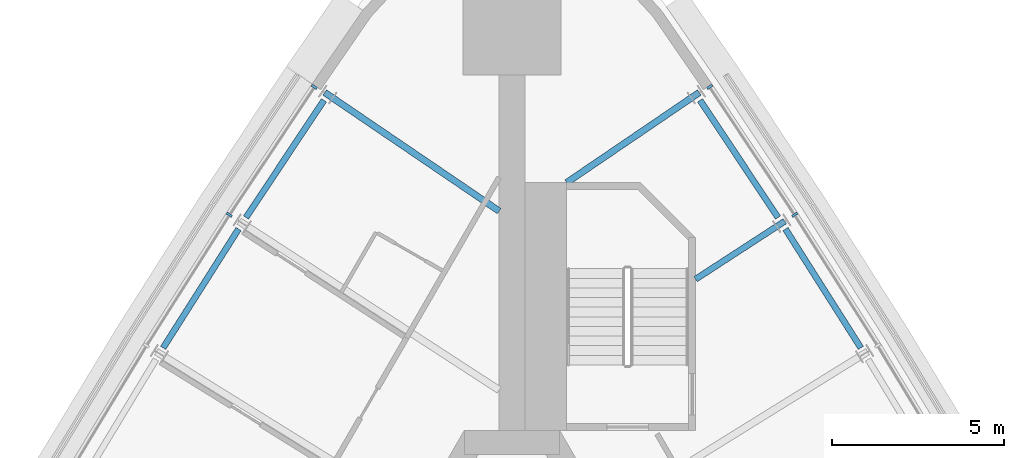
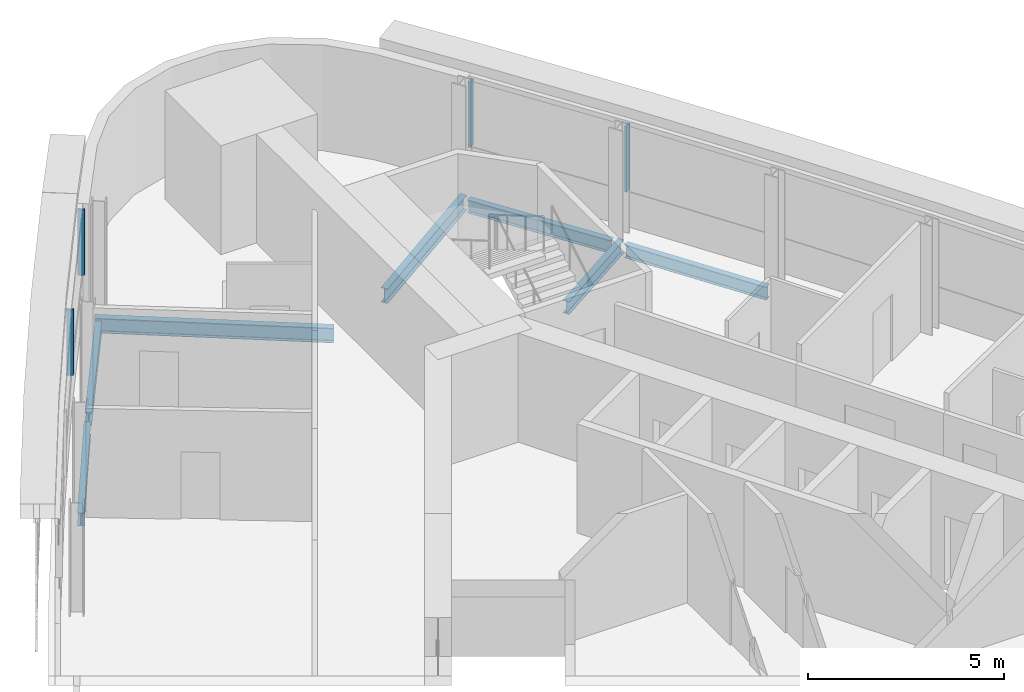
# One storey, part 6 of 12: 7 beams, 4 members, 2 elements without a shape of their own.
"""IFC4 building model written with IfcOpenShell, lengths in metres."""

from ifc_helpers import new_model, si_unit, direction, frame, origin, origin_2d, place, context, subcontext, project, spatial, rectangle, i_section, extrude, material, material_profile, profile_set, type_object, element, aggregate, save


model = new_model("IFC4")

# Units and contexts
model_context = context("Model", 3, precision=1e-05, world=origin(), true_north=direction((0.0, 1.0)))
body_context = subcontext(model_context, "Body", "Model", "MODEL_VIEW")
ifc_project = project(units=[si_unit("LENGTHUNIT", "METRE"), si_unit("AREAUNIT", "SQUARE_METRE"), si_unit("VOLUMEUNIT", "CUBIC_METRE"), si_unit("PLANEANGLEUNIT", "RADIAN"), si_unit("MASSUNIT", "GRAM", prefix="KILO")], contexts=[model_context])

# Site, building, storey
site_placement = place(None, origin())
site = spatial("IfcSite", under=ifc_project, at=site_placement, CompositionType="ELEMENT")
building_placement = place(site_placement, origin())
building = spatial("IfcBuilding", under=site, at=building_placement, Name="Noor Cloister Tower", CompositionType="ELEMENT")
storey_placement = place(building_placement, frame((0.0, 0.0, 158.10009765625)))
storey = spatial("IfcBuildingStorey", under=building, at=storey_placement, Name="L40", CompositionType="ELEMENT", Elevation=158.10009765625)

# Curtain wall, members
ifc_material_1 = material(Name="Aluminium 6063-T6 anodised", Category="aluminium")
curtain_wall_type = type_object("IfcCurtainWallType", Name="Ribbon curtain wall, upper tower CW5", PredefinedType="NOTDEFINED", material=ifc_material_1)
curtain_wall_1_placement = place(storey_placement, origin())
curtain_wall_1 = element("IfcCurtainWall", 1, at=curtain_wall_1_placement, inside=storey, type_object=curtain_wall_type, Name="CW5 L40 NW run 1", PredefinedType="NOTDEFINED")
ifc_material_2 = material(Name="Aluminium 6063-T6 anodised", Category="aluminium")
ifc_material_profile_1 = material_profile(ifc_material_2, rectangle(XDim=0.179931640625, YDim=0.070068359375, at=origin_2d()), Name="180 x 70 mullion")
ifc_profile_set_1 = profile_set([ifc_material_profile_1], Name="Aluminium 6063-T6 anodised")
member_type = type_object("IfcMemberType", Name="Mullion CW5 70 x 180", PredefinedType="MULLION", material=ifc_profile_set_1)
member_1_placement = place(storey_placement, frame((-5.74560546875, 21.43994140625, 1.099853515625), z_axis=(0.0, 0.0, 1.0), x_axis=(0.832917232409, -0.553397582174, 0.0)))
member_1 = element("IfcMember", 2, at=member_1_placement, type_object=member_type, Name="CW5 mullion 1", PredefinedType="MULLION", context=body_context, shape_type="SweptSolid", body=[
    extrude(rectangle(XDim=0.179931640625, YDim=0.070068359375, at=origin_2d()), origin(), (0.0, 0.0, 1.0), 2.050048828125),
])
member_2_placement = place(storey_placement, frame((-8.216064453125, 17.721923828125, 1.099853515625), z_axis=(0.0, 0.0, 1.0), x_axis=(0.838667278943, -0.544644099602, 0.0)))
member_2 = element("IfcMember", 3, at=member_2_placement, type_object=member_type, Name="CW5 mullion 2", PredefinedType="MULLION", context=body_context, shape_type="SweptSolid", body=[
    extrude(rectangle(XDim=0.179931640625, YDim=0.070068359375, at=origin_2d()), origin(), (0.0, 0.0, 1.0), 2.050048828125),
])
aggregate(curtain_wall_1, [member_1, member_2])

curtain_wall_2_placement = place(storey_placement, origin())
curtain_wall_2 = element("IfcCurtainWall", 4, at=curtain_wall_2_placement, inside=storey, type_object=curtain_wall_type, Name="CW5 L40 NE run 3", PredefinedType="NOTDEFINED")
member_3_placement = place(storey_placement, frame((8.216064453125, 17.721923828125, 1.099853515625), z_axis=(0.0, 0.0, 1.0), x_axis=(-0.838667278943, -0.544644099602, 0.0)))
member_3 = element("IfcMember", 5, at=member_3_placement, type_object=member_type, Name="CW5 mullion 7", PredefinedType="MULLION", context=body_context, shape_type="SweptSolid", body=[
    extrude(rectangle(XDim=0.179931640625, YDim=0.070068359375, at=origin_2d()), origin(), (0.0, 0.0, 1.0), 2.050048828125),
])
member_4_placement = place(storey_placement, frame((5.74560546875, 21.43994140625, 1.099853515625), z_axis=(0.0, 0.0, 1.0), x_axis=(-0.832917232409, -0.553397582174, 0.0)))
member_4 = element("IfcMember", 6, at=member_4_placement, type_object=member_type, Name="CW5 mullion 8", PredefinedType="MULLION", context=body_context, shape_type="SweptSolid", body=[
    extrude(rectangle(XDim=0.179931640625, YDim=0.070068359375, at=origin_2d()), origin(), (0.0, 0.0, 1.0), 2.050048828125),
])
aggregate(curtain_wall_2, [member_3, member_4])

# Beams
ifc_material_3 = material(Name="Steel ASTM A992 Gr 50", Category="steel")
ifc_material_profile_2 = material_profile(ifc_material_3, i_section(OverallWidth=0.177978515625, OverallDepth=0.406005859375, WebThickness=0.0078125, FlangeThickness=0.0126953125, FilletRadius=0.01025390625, at=origin_2d()), Name="W410x60")
ifc_profile_set_2 = profile_set([ifc_material_profile_2], Name="Steel ASTM A992 Gr 50")
beam_type_1 = type_object("IfcBeamType", Name="Radial beam W410x60", PredefinedType="BEAM", material=ifc_profile_set_2)
beam_1_placement = place(storey_placement, frame((7.92822265625, 17.53515625, -0.403076171875), z_axis=(-0.838636629365, -0.544691292281, 0.0), x_axis=(0.544691292281, -0.838636629365, 0.0)))
element("IfcBeam", 7, at=beam_1_placement, inside=storey, type_object=beam_type_1, Name="Radial beam NE 07 L40", PredefinedType="BEAM", context=body_context, shape_type="SweptSolid", body=[
    extrude(i_section(OverallWidth=0.177978515625, OverallDepth=0.406005859375, WebThickness=0.0078125, FlangeThickness=0.0126953125, FilletRadius=0.01025390625, at=origin_2d()), origin(), (0.0, 0.0, 1.0), 3.09130859375),
])
ifc_material_4 = material(Name="Steel ASTM A992 Gr 50", Category="steel")
ifc_material_profile_3 = material_profile(ifc_material_4, i_section(OverallWidth=0.19091796875, OverallDepth=0.45703125, WebThickness=0.009033203125, FlangeThickness=0.014404296875, FilletRadius=0.01025390625, at=origin_2d()), Name="W460x74")
ifc_profile_set_3 = profile_set([ifc_material_profile_3], Name="Steel ASTM A992 Gr 50")
beam_type_2 = type_object("IfcBeamType", Name="Radial beam W460x74", PredefinedType="BEAM", material=ifc_profile_set_3)
beam_2_placement = place(storey_placement, frame((-5.443115234375, 21.275390625, -0.4287109375), z_axis=(0.827076903785, -0.562088778775, 0.0), x_axis=(0.562088778775, 0.827076903785, 0.0)))
element("IfcBeam", 8, at=beam_2_placement, inside=storey, type_object=beam_type_2, Name="Radial beam NW 01 L40", PredefinedType="BEAM", context=body_context, shape_type="SweptSolid", body=[
    extrude(i_section(OverallWidth=0.19091796875, OverallDepth=0.45703125, WebThickness=0.009033203125, FlangeThickness=0.014404296875, FilletRadius=0.01025390625, at=origin_2d()), origin(), (0.0, 0.0, 1.0), 6.127685546875),
])
beam_3_placement = place(storey_placement, frame((5.443115234375, 21.275390625, -0.4287109375), z_axis=(-0.827075588321, -0.562090714389, 0.0), x_axis=(0.562090714389, -0.827075588321, 0.0)))
element("IfcBeam", 9, at=beam_3_placement, inside=storey, type_object=beam_type_2, Name="Radial beam NE 08 L40", PredefinedType="BEAM", context=body_context, shape_type="SweptSolid", body=[
    extrude(i_section(OverallWidth=0.19091796875, OverallDepth=0.45703125, WebThickness=0.009033203125, FlangeThickness=0.014404296875, FilletRadius=0.01025390625, at=origin_2d()), origin(), (0.0, 0.0, 1.0), 4.6591796875),
])
ifc_material_5 = material(Name="Steel ASTM A992 Gr 50", Category="steel")
ifc_material_profile_4 = material_profile(ifc_material_5, i_section(OverallWidth=0.177978515625, OverallDepth=0.406005859375, WebThickness=0.0078125, FlangeThickness=0.0126953125, FilletRadius=0.01025390625, at=origin_2d()), Name="W410x60")
ifc_profile_set_4 = profile_set([ifc_material_profile_4], Name="Steel ASTM A992 Gr 50")
beam_type_3 = type_object("IfcBeamType", Name="Spandrel beam W410x60", PredefinedType="SPANDREL", material=ifc_profile_set_4)
for number, where, z_axis, x_axis, name in (
    (10, (-5.465087890625, 21.049072265625, -0.403076171875), (-0.553432045803, -0.832894333441, 0.0), (0.832894333441, -0.553432045803, 0.0), "Spandrel beam NW 01 L40"),
    (11, (-7.945556640625, 17.308349609375, -0.403076171875), (-0.535808888954, -0.844339288744, 0.0), (0.844339288744, -0.535808888954, 0.0), "Spandrel beam NW 02 L40"),
    (12, (10.13671875, 13.85546875, -0.403076171875), (-0.535808888954, 0.844339288744, 0.0), (-0.844339288744, -0.535808888954, 0.0), "Spandrel beam NE 06 L40"),
    (13, (7.728271484375, 17.64306640625, -0.403076171875), (-0.553432045803, 0.832894333441, 0.0), (-0.832894333441, -0.553432045803, 0.0), "Spandrel beam NE 07 L40"),
):
    element("IfcBeam", number, at=place(storey_placement, frame(where, z_axis=z_axis, x_axis=x_axis)), inside=storey, type_object=beam_type_3, Name=name, PredefinedType="SPANDREL", context=body_context, shape_type="SweptSolid", body=[
        extrude(i_section(OverallWidth=0.177978515625, OverallDepth=0.406005859375, WebThickness=0.0078125, FlangeThickness=0.0126953125, FilletRadius=0.01025390625, at=origin_2d()), origin(), (0.0, 0.0, 1.0), 4.08935546875),
    ])

save(model, "model.ifc")
